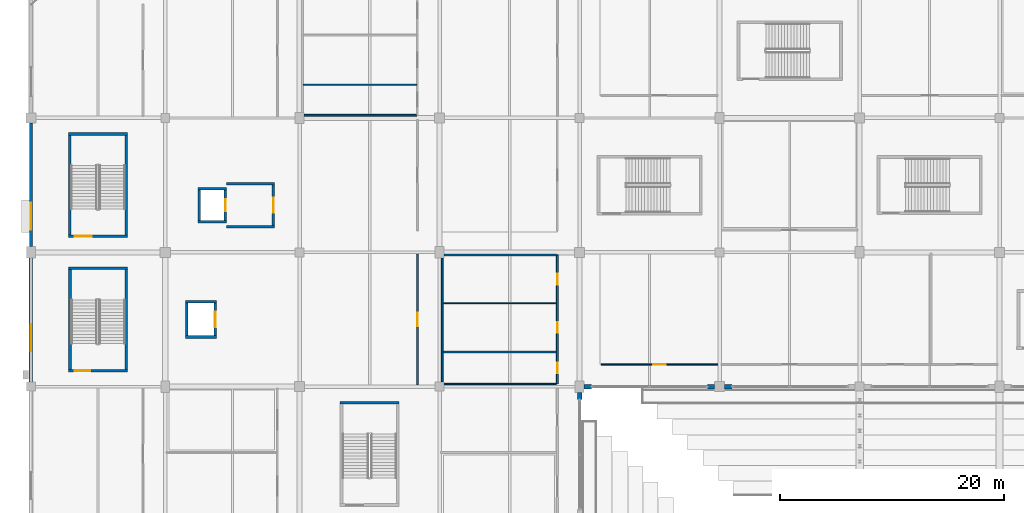
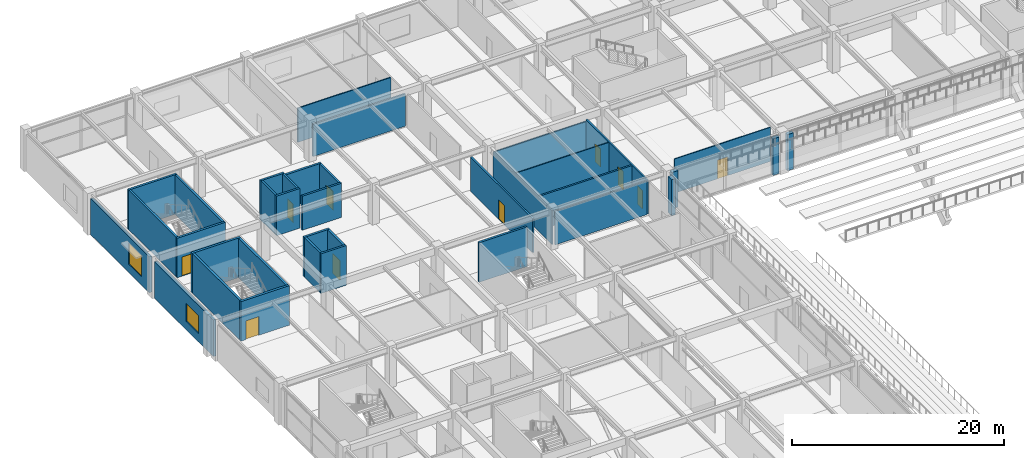
# One storey, part 87 of 134: 36 walls, 10 doors, 2 windows, 12 openings.
"""IFC4 building model written with IfcOpenShell, lengths in metres."""

from ifc_helpers import new_model, si_unit, direction, frame, frame_2d, origin, place, context, subcontext, project, spatial, rectangle, extrude, material, layer, layer_set, type_object, element, fill, save


model = new_model("IFC4")

# Units and contexts
model_context = context("Model", 3, precision=1e-05, world=origin(), true_north=direction((0.0, 1.0)))
body_context = subcontext(model_context, "Body", "Model", "MODEL_VIEW")
ifc_project = project(units=[si_unit("LENGTHUNIT", "METRE"), si_unit("AREAUNIT", "SQUARE_METRE"), si_unit("VOLUMEUNIT", "CUBIC_METRE"), si_unit("PLANEANGLEUNIT", "RADIAN"), si_unit("MASSUNIT", "GRAM", prefix="KILO")], contexts=[model_context])

# Site, building, storey
site_placement = place(None, origin())
site = spatial("IfcSite", under=ifc_project, at=site_placement, CompositionType="ELEMENT")
building_placement = place(site_placement, origin())
building = spatial("IfcBuilding", under=site, at=building_placement, Name="Kazenohara Klinker Stadium", CompositionType="ELEMENT")
storey_placement = place(building_placement, frame((0.0, 0.0, 5.39990234375)))
storey = spatial("IfcBuildingStorey", under=building, at=storey_placement, Name="L01", CompositionType="ELEMENT", Elevation=5.39990234375)

# Wall, opening, door
ifc_material_1 = material(Name="Concrete C40/50", Category="concrete")
ifc_layer_1 = layer(ifc_material_1, 0.22998046875)
ifc_layer_set_1 = layer_set([ifc_layer_1], Name="Concrete C40/50")
wall_type_1 = type_object("IfcWallType", Name="WAL-CORE-230", PredefinedType="SHEAR", material=ifc_layer_set_1)
wall_1_placement = place(storey_placement, frame((3.3701171875, 145.43505859375, 0.0), z_axis=(0.0, 0.0, 1.0), x_axis=(1.0, 0.0, 0.0)))
wall_1 = element("IfcWall", 1, at=wall_1_placement, inside=storey, type_object=wall_type_1, Name="Stairwell shear wall ST06 L01 South", PredefinedType="SHEAR", context=body_context, shape_type="SweptSolid", body=[
    extrude(rectangle(XDim=5.259765625, YDim=0.22998046875, at=frame_2d((2.6298828125, 0.0))), origin(), (0.0, 0.0, 1.0), 4.550048828125),
])
opening_1_placement = place(wall_1_placement, frame((0.550048828125, 0.0, 0.0)))
opening_1 = element("IfcOpeningElement", 2, at=opening_1_placement, cuts=wall_1, Name="Opening SD02", PredefinedType="OPENING", context=body_context, shape_type="SweptSolid", body=[
    extrude(rectangle(XDim=1.5, YDim=2.199951171875, at=frame_2d((0.75, 1.10009765625))), frame((0.0, 0.125, 0.0), z_axis=(0.0, -1.0, 0.0), x_axis=(1.0, 0.0, 0.0)), (0.0, 0.0, 1.0), 0.25),
])
ifc_material_2 = material(Name="Flush painted steel fire door leaf", Category="steel")
door_type_1 = type_object("IfcDoorType", Name="DR-STR-1500x2200", OperationType="NOTDEFINED", PredefinedType="DOOR", material=ifc_material_2)
door_1_placement = place(opening_1_placement, origin())
door_1 = element("IfcDoor", 3, at=door_1_placement, inside=storey, type_object=door_type_1, Name="Escape stairwell fire door ST06-L01", OperationType="SINGLE_SWING_RIGHT", OverallHeight=2.199951171875, OverallWidth=1.5, PredefinedType="DOOR", context=body_context, shape_type="SweptSolid", body=[
    extrude(rectangle(XDim=1.5, YDim=2.199951171875, at=frame_2d((0.75, 1.10009765625))), frame((0.0, 0.02490234375, 0.0), z_axis=(0.0, -1.0, 0.0), x_axis=(1.0, 0.0, 0.0)), (0.0, 0.0, 1.0), 0.050048828125),
])
fill(opening_1, door_1)

# Walls
wall_2_placement = place(storey_placement, frame((3.3701171875, 154.56494140625, 0.0), z_axis=(0.0, 0.0, 1.0), x_axis=(1.0, 0.0, 0.0)))
element("IfcWall", 4, at=wall_2_placement, inside=storey, type_object=wall_type_1, Name="Stairwell shear wall ST06 L01 North", PredefinedType="SHEAR", context=body_context, shape_type="SweptSolid", body=[
    extrude(rectangle(XDim=5.259765625, YDim=0.22998046875, at=frame_2d((2.6298828125, 0.0))), origin(), (0.0, 0.0, 1.0), 4.550048828125),
])
for number, where, z_axis, x_axis, name in (
    (5, (3.485107421875, 145.550048828125, 0.0), (0.0, 0.0, 1.0), (0.0, 1.0, 0.0), "Stairwell shear wall ST06 L01 West"),
    (6, (8.514892578125, 145.550048828125, 0.0), (0.0, 0.0, 1.0), (0.0, 1.0, 0.0), "Stairwell shear wall ST06 L01 East"),
):
    element("IfcWall", number, at=place(storey_placement, frame(where, z_axis=z_axis, x_axis=x_axis)), inside=storey, type_object=wall_type_1, Name=name, PredefinedType="SHEAR", context=body_context, shape_type="SweptSolid", body=[
        extrude(rectangle(XDim=8.89990234375, YDim=0.22998046875, at=frame_2d((4.449951171875, 0.0))), origin(), (0.0, 0.0, 1.0), 4.550048828125),
    ])
wall_3_placement = place(storey_placement, frame((27.6201171875, 130.56494140625, 0.0), z_axis=(0.0, 0.0, 1.0), x_axis=(1.0, 0.0, 0.0)))
element("IfcWall", 7, at=wall_3_placement, inside=storey, type_object=wall_type_1, Name="Stairwell shear wall ST18 L01 North", PredefinedType="SHEAR", context=body_context, shape_type="SweptSolid", body=[
    extrude(rectangle(XDim=5.259765625, YDim=0.22998046875, at=frame_2d((2.6298828125, 0.0))), origin(), (0.0, 0.0, 1.0), 4.550048828125),
])
for number, where, z_axis, x_axis, name in (
    (8, (14.919921875, 146.735107421875, 0.0), (0.0, 0.0, 1.0), (1.0, 0.0, 0.0), "Elevator shaft wall LF03 L01 South"),
    (9, (14.919921875, 149.6650390625, 0.0), (0.0, 0.0, 1.0), (1.0, 0.0, 0.0), "Elevator shaft wall LF03 L01 North"),
):
    element("IfcWall", number, at=place(storey_placement, frame(where, z_axis=z_axis, x_axis=x_axis)), inside=storey, type_object=wall_type_1, Name=name, PredefinedType="SHEAR", context=body_context, shape_type="SweptSolid", body=[
        extrude(rectangle(XDim=2.56005859375, YDim=0.22998046875, at=frame_2d((1.280029296875, 0.0))), origin(), (0.0, 0.0, 1.0), 4.550048828125),
    ])
wall_4_placement = place(storey_placement, frame((15.034912109375, 146.85009765625, 0.0), z_axis=(0.0, 0.0, 1.0), x_axis=(0.0, 1.0, 0.0)))
element("IfcWall", 10, at=wall_4_placement, inside=storey, type_object=wall_type_1, Name="Elevator shaft wall LF03 L01 West", PredefinedType="SHEAR", context=body_context, shape_type="SweptSolid", body=[
    extrude(rectangle(XDim=2.699951171875, YDim=0.22998046875, at=frame_2d((1.35009765625, 0.0))), origin(), (0.0, 0.0, 1.0), 4.550048828125),
])

# Wall, opening, door
wall_5_placement = place(storey_placement, frame((17.364990234375, 146.85009765625, 0.0), z_axis=(0.0, 0.0, 1.0), x_axis=(0.0, 1.0, 0.0)))
wall_5 = element("IfcWall", 11, at=wall_5_placement, inside=storey, type_object=wall_type_1, Name="Elevator shaft wall LF03 L01 East", PredefinedType="SHEAR", context=body_context, shape_type="SweptSolid", body=[
    extrude(rectangle(XDim=2.699951171875, YDim=0.22998046875, at=frame_2d((1.35009765625, 0.0))), origin(), (0.0, 0.0, 1.0), 4.550048828125),
])
opening_2_placement = place(wall_5_placement, frame((0.800048828125, 0.0, 0.0)))
opening_2 = element("IfcOpeningElement", 12, at=opening_2_placement, cuts=wall_5, Name="Opening LD01", PredefinedType="OPENING", context=body_context, shape_type="SweptSolid", body=[
    extrude(rectangle(XDim=1.10009765625, YDim=2.14990234375, at=frame_2d((0.550048828125, 1.074951171875))), frame((0.0, 0.125, 0.0), z_axis=(0.0, -1.0, 0.0), x_axis=(1.0, 0.0, 0.0)), (0.0, 0.0, 1.0), 0.25),
])
ifc_material_3 = material(Name="Stainless steel fire-rated sliding landing door", Category="steel")
door_type_2 = type_object("IfcDoorType", Name="DR-LD01-1100x2150", OperationType="NOTDEFINED", PredefinedType="DOOR", material=ifc_material_3)
door_2_placement = place(opening_2_placement, origin())
door_2 = element("IfcDoor", 13, at=door_2_placement, inside=storey, type_object=door_type_2, Name="Elevator sliding landing door LF03-L01", OperationType="DOUBLE_DOOR_SLIDING", OverallHeight=2.14990234375, OverallWidth=1.10009765625, PredefinedType="DOOR", context=body_context, shape_type="SweptSolid", body=[
    extrude(rectangle(XDim=1.10009765625, YDim=2.14990234375, at=frame_2d((0.550048828125, 1.074951171875))), frame((0.0, 0.02490234375, 0.0), z_axis=(0.0, -1.0, 0.0), x_axis=(1.0, 0.0, 0.0)), (0.0, 0.0, 1.0), 0.050048828125),
])
fill(opening_2, door_2)

# Walls
for number, where, z_axis, x_axis, name in (
    (14, (13.820068359375, 136.43505859375, 0.0), (0.0, 0.0, 1.0), (1.0, 0.0, 0.0), "Elevator shaft wall LG01 L01 South"),
    (15, (13.820068359375, 139.56494140625, 0.0), (0.0, 0.0, 1.0), (1.0, 0.0, 0.0), "Elevator shaft wall LG01 L01 North"),
):
    element("IfcWall", number, at=place(storey_placement, frame(where, z_axis=z_axis, x_axis=x_axis)), inside=storey, type_object=wall_type_1, Name=name, PredefinedType="SHEAR", context=body_context, shape_type="SweptSolid", body=[
        extrude(rectangle(XDim=2.760009765625, YDim=0.22998046875, at=frame_2d((1.3798828125, 0.0))), origin(), (0.0, 0.0, 1.0), 4.550048828125),
    ])
wall_6_placement = place(storey_placement, frame((13.93505859375, 136.550048828125, 0.0), z_axis=(0.0, 0.0, 1.0), x_axis=(0.0, 1.0, 0.0)))
element("IfcWall", 16, at=wall_6_placement, inside=storey, type_object=wall_type_1, Name="Elevator shaft wall LG01 L01 West", PredefinedType="SHEAR", context=body_context, shape_type="SweptSolid", body=[
    extrude(rectangle(XDim=2.89990234375, YDim=0.22998046875, at=frame_2d((1.449951171875, 0.0))), origin(), (0.0, 0.0, 1.0), 4.550048828125),
])

# Wall, opening, door
wall_7_placement = place(storey_placement, frame((16.465087890625, 136.550048828125, 0.0), z_axis=(0.0, 0.0, 1.0), x_axis=(0.0, 1.0, 0.0)))
wall_7 = element("IfcWall", 17, at=wall_7_placement, inside=storey, type_object=wall_type_1, Name="Elevator shaft wall LG01 L01 East", PredefinedType="SHEAR", context=body_context, shape_type="SweptSolid", body=[
    extrude(rectangle(XDim=2.89990234375, YDim=0.22998046875, at=frame_2d((1.449951171875, 0.0))), origin(), (0.0, 0.0, 1.0), 4.550048828125),
])
opening_3_placement = place(wall_7_placement, frame((0.75, 0.0, 0.0)))
opening_3 = element("IfcOpeningElement", 18, at=opening_3_placement, cuts=wall_7, Name="Opening LD03", PredefinedType="OPENING", context=body_context, shape_type="SweptSolid", body=[
    extrude(rectangle(XDim=1.39990234375, YDim=2.25, at=frame_2d((0.699951171875, 1.125))), frame((0.0, 0.125, 0.0), z_axis=(0.0, -1.0, 0.0), x_axis=(1.0, 0.0, 0.0)), (0.0, 0.0, 1.0), 0.25),
])
ifc_material_4 = material(Name="Heavy-duty stainless steel sliding goods landing door", Category="steel")
door_type_3 = type_object("IfcDoorType", Name="DR-LD03-1400x2250", OperationType="NOTDEFINED", PredefinedType="DOOR", material=ifc_material_4)
door_3_placement = place(opening_3_placement, origin())
door_3 = element("IfcDoor", 19, at=door_3_placement, inside=storey, type_object=door_type_3, Name="Elevator sliding landing door LG01-L01", OperationType="DOUBLE_DOOR_SLIDING", OverallHeight=2.25, OverallWidth=1.39990234375, PredefinedType="DOOR", context=body_context, shape_type="SweptSolid", body=[
    extrude(rectangle(XDim=1.39990234375, YDim=2.25, at=frame_2d((0.699951171875, 1.125))), frame((0.0, 0.02490234375, 0.0), z_axis=(0.0, -1.0, 0.0), x_axis=(1.0, 0.0, 0.0)), (0.0, 0.0, 1.0), 0.050048828125),
])
fill(opening_3, door_3)

ifc_layer_2 = layer(ifc_material_1, 0.25)
ifc_layer_set_2 = layer_set([ifc_layer_2], Name="Concrete C40/50")
wall_type_2 = type_object("IfcWallType", Name="WAL-CORE-250", PredefinedType="SHEAR", material=ifc_layer_set_2)
wall_8_placement = place(storey_placement, frame((3.360107421875, 133.425048828125, 0.0), z_axis=(0.0, 0.0, 1.0), x_axis=(1.0, 0.0, 0.0)))
wall_8 = element("IfcWall", 20, at=wall_8_placement, inside=storey, type_object=wall_type_2, Name="Stairwell shear wall ST05 L01 South", PredefinedType="SHEAR", context=body_context, shape_type="SweptSolid", body=[
    extrude(rectangle(XDim=5.27978515625, YDim=0.25, at=frame_2d((2.639892578125, 0.0))), origin(), (0.0, 0.0, 1.0), 4.550048828125),
])
opening_4_placement = place(wall_8_placement, frame((0.550048828125, 0.0, 0.0)))
opening_4 = element("IfcOpeningElement", 21, at=opening_4_placement, cuts=wall_8, Name="Opening SD01", PredefinedType="OPENING", context=body_context, shape_type="SweptSolid", body=[
    extrude(rectangle(XDim=1.39990234375, YDim=2.14990234375, at=frame_2d((0.699951171875, 1.074951171875))), frame((0.0, 0.135009765625, 0.0), z_axis=(0.0, -1.0, 0.0), x_axis=(1.0, 0.0, 0.0)), (0.0, 0.0, 1.0), 0.27001953125),
])
door_type_4 = type_object("IfcDoorType", Name="DR-STR-1400x2150", OperationType="NOTDEFINED", PredefinedType="DOOR", material=ifc_material_2)
door_4_placement = place(opening_4_placement, origin())
door_4 = element("IfcDoor", 22, at=door_4_placement, inside=storey, type_object=door_type_4, Name="Escape stairwell fire door ST05-L01", OperationType="SINGLE_SWING_LEFT", OverallHeight=2.14990234375, OverallWidth=1.39990234375, PredefinedType="DOOR", context=body_context, shape_type="SweptSolid", body=[
    extrude(rectangle(XDim=1.39990234375, YDim=2.14990234375, at=frame_2d((0.699951171875, 1.074951171875))), frame((0.0, 0.02490234375, 0.0), z_axis=(0.0, -1.0, 0.0), x_axis=(1.0, 0.0, 0.0)), (0.0, 0.0, 1.0), 0.050048828125),
])
fill(opening_4, door_4)

# Walls
wall_9_placement = place(storey_placement, frame((3.360107421875, 142.574951171875, 0.0), z_axis=(0.0, 0.0, 1.0), x_axis=(1.0, 0.0, 0.0)))
element("IfcWall", 23, at=wall_9_placement, inside=storey, type_object=wall_type_2, Name="Stairwell shear wall ST05 L01 North", PredefinedType="SHEAR", context=body_context, shape_type="SweptSolid", body=[
    extrude(rectangle(XDim=5.27978515625, YDim=0.25, at=frame_2d((2.639892578125, 0.0))), origin(), (0.0, 0.0, 1.0), 4.550048828125),
])
for number, where, z_axis, x_axis, name in (
    (24, (3.485107421875, 133.550048828125, 0.0), (0.0, 0.0, 1.0), (0.0, 1.0, 0.0), "Stairwell shear wall ST05 L01 West"),
    (25, (8.514892578125, 133.550048828125, 0.0), (0.0, 0.0, 1.0), (0.0, 1.0, 0.0), "Stairwell shear wall ST05 L01 East"),
):
    element("IfcWall", number, at=place(storey_placement, frame(where, z_axis=z_axis, x_axis=x_axis)), inside=storey, type_object=wall_type_2, Name=name, PredefinedType="SHEAR", context=body_context, shape_type="SweptSolid", body=[
        extrude(rectangle(XDim=8.89990234375, YDim=0.25, at=frame_2d((4.449951171875, 0.0))), origin(), (0.0, 0.0, 1.0), 4.550048828125),
    ])

# Wall, opening, window
ifc_material_5 = material(Name="Clinker brick masonry", Category="masonry")
ifc_layer_3 = layer(ifc_material_5, 0.280029296875)
ifc_layer_set_3 = layer_set([ifc_layer_3], Name="Clinker brick masonry")
wall_type_3 = type_object("IfcWallType", Name="WAL-EXT-CB280", PredefinedType="SOLIDWALL", material=ifc_layer_set_3)
wall_10_placement = place(storey_placement, frame((0.0, 144.50390625, 0.0), z_axis=(0.0, 0.0, 1.0), x_axis=(0.0, 1.0, 0.0)))
wall_10 = element("IfcWall", 26, at=wall_10_placement, inside=storey, type_object=wall_type_3, Name="Clinker brick cavity wall EW06 L01 Y0-12", PredefinedType="SOLIDWALL", context=body_context, shape_type="SweptSolid", body=[
    extrude(rectangle(XDim=11.0419921875, YDim=0.280029296875, at=frame_2d((5.52099609375, 0.0))), origin(), (0.0, 0.0, 1.0), 4.150146484375),
])
opening_5_placement = place(wall_10_placement, frame((1.5, 0.0, 0.949951171875)))
opening_5 = element("IfcOpeningElement", 27, at=opening_5_placement, cuts=wall_10, Name="Opening W25", PredefinedType="OPENING", context=body_context, shape_type="SweptSolid", body=[
    extrude(rectangle(XDim=2.39990234375, YDim=2.449951171875, at=frame_2d((1.199951171875, 1.22509765625))), frame((0.0, 0.14990234375, 0.0), z_axis=(0.0, -1.0, 0.0), x_axis=(1.0, 0.0, 0.0)), (0.0, 0.0, 1.0), 0.300048828125),
])
ifc_material_6 = material(Name="Dark bronze aluminium frame and triple glazing", Category="aluminium")
window_type_1 = type_object("IfcWindowType", Name="WIN-AS-25", PartitioningType="SINGLE_PANEL", PredefinedType="WINDOW", material=ifc_material_6)
window_1_placement = place(opening_5_placement, origin())
window_1 = element("IfcWindow", 28, at=window_1_placement, inside=storey, type_object=window_type_1, Name="Horizontal-mullion ladder window W25 L01 Y0-12", OverallHeight=2.449951171875, OverallWidth=2.39990234375, PartitioningType="SINGLE_PANEL", PredefinedType="WINDOW", context=body_context, shape_type="SweptSolid", body=[
    extrude(rectangle(XDim=2.39990234375, YDim=2.449951171875, at=frame_2d((1.199951171875, 1.22509765625))), frame((0.0, 0.030029296875, 0.0), z_axis=(0.0, -1.0, 0.0), x_axis=(1.0, 0.0, 0.0)), (0.0, 0.0, 1.0), 0.06005859375),
])
fill(opening_5, window_1)

ifc_layer_4 = layer(ifc_material_5, 0.31005859375)
ifc_layer_set_4 = layer_set([ifc_layer_4], Name="Clinker brick masonry")
wall_type_4 = type_object("IfcWallType", Name="WAL-EXT-CB310", PredefinedType="SOLIDWALL", material=ifc_layer_set_4)
wall_11_placement = place(storey_placement, frame((0.0, 132.404052734375, 0.0), z_axis=(0.0, 0.0, 1.0), x_axis=(0.0, 1.0, 0.0)))
wall_11 = element("IfcWall", 29, at=wall_11_placement, inside=storey, type_object=wall_type_4, Name="Clinker brick cavity wall EW05 L01 Y0-11", PredefinedType="SOLIDWALL", context=body_context, shape_type="SweptSolid", body=[
    extrude(rectangle(XDim=11.092041015625, YDim=0.31005859375, at=frame_2d((5.5458984375, 0.0))), origin(), (0.0, 0.0, 1.0), 4.2001953125),
])
opening_6_placement = place(wall_11_placement, frame((2.75, 0.0, 0.949951171875)))
opening_6 = element("IfcOpeningElement", 30, at=opening_6_placement, cuts=wall_11, Name="Opening W24", PredefinedType="OPENING", context=body_context, shape_type="SweptSolid", body=[
    extrude(rectangle(XDim=2.39990234375, YDim=2.050048828125, at=frame_2d((1.199951171875, 1.02490234375))), frame((0.0, 0.1650390625, 0.0), z_axis=(0.0, -1.0, 0.0), x_axis=(1.0, 0.0, 0.0)), (0.0, 0.0, 1.0), 0.330078125),
])
window_type_2 = type_object("IfcWindowType", Name="WIN-AS-24", PartitioningType="SINGLE_PANEL", PredefinedType="WINDOW", material=ifc_material_6)
window_2_placement = place(opening_6_placement, origin())
window_2 = element("IfcWindow", 31, at=window_2_placement, inside=storey, type_object=window_type_2, Name="Horizontal-mullion ladder window W24 L01 Y0-11", OverallHeight=2.050048828125, OverallWidth=2.39990234375, PartitioningType="SINGLE_PANEL", PredefinedType="WINDOW", context=body_context, shape_type="SweptSolid", body=[
    extrude(rectangle(XDim=2.39990234375, YDim=2.050048828125, at=frame_2d((1.199951171875, 1.02490234375))), frame((0.0, 0.030029296875, 0.0), z_axis=(0.0, -1.0, 0.0), x_axis=(1.0, 0.0, 0.0)), (0.0, 0.0, 1.0), 0.06005859375),
])
fill(opening_6, window_2)

# Walls
ifc_layer_5 = layer(ifc_material_5, 0.409912109375)
ifc_layer_set_5 = layer_set([ifc_layer_5], Name="Clinker brick masonry")
wall_type_5 = type_object("IfcWallType", Name="WAL-EXT-CB410", PredefinedType="SOLIDWALL", material=ifc_layer_set_5)
wall_12_placement = place(storey_placement, frame((49.0, 130.845947265625, 0.0), z_axis=(0.0, 0.0, 1.0), x_axis=(0.0, 1.0, 0.0)))
element("IfcWall", 32, at=wall_12_placement, inside=storey, type_object=wall_type_5, Name="Clinker brick curtain-wall jamb pier L01 Y4-10 B", PredefinedType="SOLIDWALL", context=body_context, shape_type="SweptSolid", body=[
    extrude(rectangle(XDim=0.650146484375, YDim=0.409912109375, at=frame_2d((0.3251953125, 0.0))), origin(), (0.0, 0.0, 1.0), 4.150146484375),
])
for number, where, z_axis, x_axis, name in (
    (33, (49.404052734375, 132.0, 0.0), (0.0, 0.0, 1.0), (1.0, 0.0, 0.0), "Clinker brick curtain-wall jamb pier L01 X4-11 A"),
    (34, (60.39599609375, 132.0, 0.0), (0.0, 0.0, 1.0), (1.0, 0.0, 0.0), "Clinker brick curtain-wall jamb pier L01 X4-11 B"),
):
    element("IfcWall", number, at=place(storey_placement, frame(where, z_axis=z_axis, x_axis=x_axis)), inside=storey, type_object=wall_type_5, Name=name, PredefinedType="SOLIDWALL", context=body_context, shape_type="SweptSolid", body=[
        extrude(rectangle(XDim=0.64990234375, YDim=0.409912109375, at=frame_2d((0.324951171875, 0.0))), origin(), (0.0, 0.0, 1.0), 4.2001953125),
    ])
wall_13_placement = place(storey_placement, frame((61.9541015625, 132.0, 0.0), z_axis=(0.0, 0.0, 1.0), x_axis=(1.0, 0.0, 0.0)))
element("IfcWall", 35, at=wall_13_placement, inside=storey, type_object=wall_type_5, Name="Clinker brick curtain-wall jamb pier L01 X5-11 A", PredefinedType="SOLIDWALL", context=body_context, shape_type="SweptSolid", body=[
    extrude(rectangle(XDim=0.64990234375, YDim=0.409912109375, at=frame_2d((0.324951171875, 0.0))), origin(), (0.0, 0.0, 1.0), 4.150146484375),
])
ifc_layer_6 = layer(ifc_material_1, 0.219970703125)
ifc_layer_set_6 = layer_set([ifc_layer_6], Name="Concrete C40/50")
wall_type_6 = type_object("IfcWallType", Name="WAL-INT-FF220", PredefinedType="SOLIDWALL", material=ifc_layer_set_6)
for number, where, z_axis, x_axis, name in (
    (36, (17.47998046875, 146.2900390625, 0.0), (0.0, 0.0, 1.0), (1.0, 0.0, 0.0), "Firefighting lobby wall LF03 L01 South"),
    (37, (17.47998046875, 150.110107421875, 0.0), (0.0, 0.0, 1.0), (1.0, 0.0, 0.0), "Firefighting lobby wall LF03 L01 North"),
):
    element("IfcWall", number, at=place(storey_placement, frame(where, z_axis=z_axis, x_axis=x_axis)), inside=storey, type_object=wall_type_6, Name=name, PredefinedType="SOLIDWALL", context=body_context, shape_type="SweptSolid", body=[
        extrude(rectangle(XDim=4.2900390625, YDim=0.219970703125, at=frame_2d((2.14501953125, 0.0))), origin(), (0.0, 0.0, 1.0), 3.920166015625),
    ])

# Wall, opening, door
wall_14_placement = place(storey_placement, frame((21.659912109375, 146.39990234375, 0.0), z_axis=(0.0, 0.0, 1.0), x_axis=(0.0, 1.0, 0.0)))
wall_14 = element("IfcWall", 38, at=wall_14_placement, inside=storey, type_object=wall_type_6, Name="Firefighting lobby front wall LF03 L01", PredefinedType="SOLIDWALL", context=body_context, shape_type="SweptSolid", body=[
    extrude(rectangle(XDim=3.60009765625, YDim=0.219970703125, at=frame_2d((1.800048828125, 0.0))), origin(), (0.0, 0.0, 1.0), 3.920166015625),
])
opening_7_placement = place(wall_14_placement, frame((1.14990234375, 0.0, 0.0)))
opening_7 = element("IfcOpeningElement", 39, at=opening_7_placement, cuts=wall_14, Name="Opening FD01", PredefinedType="OPENING", context=body_context, shape_type="SweptSolid", body=[
    extrude(rectangle(XDim=1.300048828125, YDim=2.14990234375, at=frame_2d((0.64990234375, 1.074951171875))), frame((0.0, 0.1201171875, 0.0), z_axis=(0.0, -1.0, 0.0), x_axis=(1.0, 0.0, 0.0)), (0.0, 0.0, 1.0), 0.239990234375),
])
ifc_material_7 = material(Name="Smoke-sealed steel fire lobby door", Category="steel")
door_type_5 = type_object("IfcDoorType", Name="DR-FFL-1300x2150", OperationType="NOTDEFINED", PredefinedType="DOOR", material=ifc_material_7)
door_5_placement = place(opening_7_placement, origin())
door_5 = element("IfcDoor", 40, at=door_5_placement, inside=storey, type_object=door_type_5, Name="Firefighting lobby smoke-sealed door LF03-L01", OperationType="SINGLE_SWING_LEFT", OverallHeight=2.14990234375, OverallWidth=1.300048828125, PredefinedType="DOOR", context=body_context, shape_type="SweptSolid", body=[
    extrude(rectangle(XDim=1.300048828125, YDim=2.14990234375, at=frame_2d((0.64990234375, 1.074951171875))), frame((0.0, 0.02490234375, 0.0), z_axis=(0.0, -1.0, 0.0), x_axis=(1.0, 0.0, 0.0)), (0.0, 0.0, 1.0), 0.050048828125),
])
fill(opening_7, door_5)

# Wall
ifc_material_8 = material(Name="Fire-rated gypsum board on acoustic studs", Category="gypsum")
ifc_layer_7 = layer(ifc_material_8, 0.110107421875)
ifc_layer_set_7 = layer_set([ifc_layer_7], Name="Fire-rated gypsum board on acoustic studs")
wall_type_7 = type_object("IfcWallType", Name="WAL-INT-P110", PredefinedType="PARTITIONING", material=ifc_layer_set_7)
wall_15_placement = place(storey_placement, frame((36.820068359375, 139.461181640625, 0.0), z_axis=(0.0, 0.0, 1.0), x_axis=(1.0, 0.0, 0.0)))
element("IfcWall", 41, at=wall_15_placement, inside=storey, type_object=wall_type_7, Name="Interior partition wall PT01 SPC-L01-03-11-1-6", PredefinedType="PARTITIONING", context=body_context, shape_type="SweptSolid", body=[
    extrude(rectangle(XDim=10.099853515625, YDim=0.110107421875, at=frame_2d((5.0498046875, 0.0))), origin(), (0.0, 0.0, 1.0), 3.920166015625),
])

# Wall, opening, door
wall_16_placement = place(storey_placement, frame((50.919921875, 133.989990234375, 0.0), z_axis=(0.0, 0.0, 1.0), x_axis=(1.0, 0.0, 0.0)))
wall_16 = element("IfcWall", 42, at=wall_16_placement, inside=storey, type_object=wall_type_7, Name="Interior partition wall PT01 SPC-L01-04-11-1-1", PredefinedType="PARTITIONING", context=body_context, shape_type="SweptSolid", body=[
    extrude(rectangle(XDim=10.420166015625, YDim=0.110107421875, at=frame_2d((5.2099609375, 0.0))), origin(), (0.0, 0.0, 1.0), 3.920166015625),
])
opening_8_placement = place(wall_16_placement, frame((4.635009765625, 0.0, 0.0)))
opening_8 = element("IfcOpeningElement", 43, at=opening_8_placement, cuts=wall_16, Name="Opening ID10", PredefinedType="OPENING", context=body_context, shape_type="SweptSolid", body=[
    extrude(rectangle(XDim=1.14990234375, YDim=2.14990234375, at=frame_2d((0.574951171875, 1.074951171875))), frame((0.0, 0.06494140625, 0.0), z_axis=(0.0, -1.0, 0.0), x_axis=(1.0, 0.0, 0.0)), (0.0, 0.0, 1.0), 0.130126953125),
])
ifc_material_9 = material(Name="Solid-core Hokkaido oak fire door", Category="wood")
door_type_6 = type_object("IfcDoorType", Name="DR-INT-10", OperationType="NOTDEFINED", PredefinedType="DOOR", material=ifc_material_9)
door_6_placement = place(opening_8_placement, origin())
door_6 = element("IfcDoor", 44, at=door_6_placement, inside=storey, type_object=door_type_6, Name="Interior door ID10 Community Martial Arts Fitness Studio L01-0411A", OperationType="SINGLE_SWING_LEFT", OverallHeight=2.14990234375, OverallWidth=1.14990234375, PredefinedType="DOOR", context=body_context, shape_type="SweptSolid", body=[
    extrude(rectangle(XDim=1.14990234375, YDim=2.14990234375, at=frame_2d((0.574951171875, 1.074951171875))), frame((0.0, 0.02490234375, 0.0), z_axis=(0.0, -1.0, 0.0), x_axis=(1.0, 0.0, 0.0)), (0.0, 0.0, 1.0), 0.050048828125),
])
fill(opening_8, door_6)

# Walls
ifc_layer_8 = layer(ifc_material_8, 0.1201171875)
ifc_layer_set_8 = layer_set([ifc_layer_8], Name="Fire-rated gypsum board on acoustic studs")
wall_type_8 = type_object("IfcWallType", Name="WAL-INT-P120", PredefinedType="PARTITIONING", material=ifc_layer_set_8)
wall_17_placement = place(storey_placement, frame((24.340087890625, 158.96630859375, 0.0), z_axis=(0.0, 0.0, 1.0), x_axis=(1.0, 0.0, 0.0)))
element("IfcWall", 45, at=wall_17_placement, inside=storey, type_object=wall_type_8, Name="Interior partition wall PT02 SPC-L01-02-13-1-4", PredefinedType="PARTITIONING", context=body_context, shape_type="SweptSolid", body=[
    extrude(rectangle(XDim=10.10986328125, YDim=0.1201171875, at=frame_2d((5.054931640625, 0.0))), origin(), (0.0, 0.0, 1.0), 3.920166015625),
])
wall_18_placement = place(storey_placement, frame((36.904052734375, 132.239990234375, 0.0), z_axis=(0.0, 0.0, 1.0), x_axis=(1.0, 0.0, 0.0)))
element("IfcWall", 46, at=wall_18_placement, inside=storey, type_object=wall_type_8, Name="Interior partition wall PT02 SPC-L01-03-11-1-1", PredefinedType="PARTITIONING", context=body_context, shape_type="SweptSolid", body=[
    extrude(rectangle(XDim=10.015869140625, YDim=0.1201171875, at=frame_2d((5.0078125, 0.0))), origin(), (0.0, 0.0, 1.0), 3.920166015625),
])
ifc_layer_9 = layer(ifc_material_8, 0.139892578125)
ifc_layer_set_9 = layer_set([ifc_layer_9], Name="Fire-rated gypsum board on acoustic studs")
wall_type_9 = type_object("IfcWallType", Name="WAL-INT-P140", PredefinedType="PARTITIONING", material=ifc_layer_set_9)
wall_19_placement = place(storey_placement, frame((36.904052734375, 143.760009765625, 0.0), z_axis=(0.0, 0.0, 1.0), x_axis=(1.0, 0.0, 0.0)))
element("IfcWall", 47, at=wall_19_placement, inside=storey, type_object=wall_type_9, Name="Interior partition wall PT03 SPC-L01-03-11-1-2", PredefinedType="PARTITIONING", context=body_context, shape_type="SweptSolid", body=[
    extrude(rectangle(XDim=10.015869140625, YDim=0.139892578125, at=frame_2d((5.0078125, 0.0))), origin(), (0.0, 0.0, 1.0), 3.710205078125),
])
ifc_layer_10 = layer(ifc_material_8, 0.14990234375)
ifc_layer_set_10 = layer_set([ifc_layer_10], Name="Fire-rated gypsum board on acoustic studs")
wall_type_10 = type_object("IfcWallType", Name="WAL-INT-P150", PredefinedType="PARTITIONING", material=ifc_layer_set_10)
wall_20_placement = place(storey_placement, frame((36.739990234375, 132.404052734375, 0.0), z_axis=(0.0, 0.0, 1.0), x_axis=(0.0, 1.0, 0.0)))
element("IfcWall", 48, at=wall_20_placement, inside=storey, type_object=wall_type_10, Name="Interior partition wall PT04 SPC-L01-03-11-1-3", PredefinedType="PARTITIONING", context=body_context, shape_type="SweptSolid", body=[
    extrude(rectangle(XDim=11.092041015625, YDim=0.14990234375, at=frame_2d((5.5458984375, 0.0))), origin(), (0.0, 0.0, 1.0), 3.920166015625),
])
ifc_layer_11 = layer(ifc_material_8, 0.169921875)
ifc_layer_set_11 = layer_set([ifc_layer_11], Name="Fire-rated gypsum board on acoustic studs")
wall_type_11 = type_object("IfcWallType", Name="WAL-INT-P170", PredefinedType="PARTITIONING", material=ifc_layer_set_11)
wall_21_placement = place(storey_placement, frame((24.404052734375, 156.239990234375, 0.0), z_axis=(0.0, 0.0, 1.0), x_axis=(1.0, 0.0, 0.0)))
element("IfcWall", 49, at=wall_21_placement, inside=storey, type_object=wall_type_11, Name="Interior partition wall PT05 SPC-L01-02-13-1-1", PredefinedType="PARTITIONING", context=body_context, shape_type="SweptSolid", body=[
    extrude(rectangle(XDim=10.0458984375, YDim=0.169921875, at=frame_2d((5.02294921875, 0.0))), origin(), (0.0, 0.0, 1.0), 3.710205078125),
])

# Wall, openings, doors
wall_22_placement = place(storey_placement, frame((47.010009765625, 132.239990234375, 0.0), z_axis=(0.0, 0.0, 1.0), x_axis=(0.0, 1.0, 0.0)))
wall_22 = element("IfcWall", 50, at=wall_22_placement, inside=storey, type_object=wall_type_11, Name="Interior partition wall PT05 SPC-L01-03-11-1-4", PredefinedType="PARTITIONING", context=body_context, shape_type="SweptSolid", body=[
    extrude(rectangle(XDim=11.52001953125, YDim=0.169921875, at=frame_2d((5.760009765625, 0.0))), origin(), (0.0, 0.0, 1.0), 3.920166015625),
])
opening_9_placement = place(wall_22_placement, frame((0.98095703125, 0.0, 0.0)))
opening_9 = element("IfcOpeningElement", 51, at=opening_9_placement, cuts=wall_22, Name="Opening ID02", PredefinedType="OPENING", context=body_context, shape_type="SweptSolid", body=[
    extrude(rectangle(XDim=0.919921875, YDim=2.10009765625, at=frame_2d((0.4599609375, 1.050048828125))), frame((0.0, 0.094970703125, 0.0), z_axis=(0.0, -1.0, 0.0), x_axis=(1.0, 0.0, 0.0)), (0.0, 0.0, 1.0), 0.18994140625),
])
opening_10_placement = place(wall_22_placement, frame((4.566650390625, 0.0, 0.0)))
opening_10 = element("IfcOpeningElement", 52, at=opening_10_placement, cuts=wall_22, Name="Opening ID03", PredefinedType="OPENING", context=body_context, shape_type="SweptSolid", body=[
    extrude(rectangle(XDim=0.949951171875, YDim=2.1201171875, at=frame_2d((0.47509765625, 1.06005859375))), frame((0.0, 0.094970703125, 0.0), z_axis=(0.0, -1.0, 0.0), x_axis=(1.0, 0.0, 0.0)), (0.0, 0.0, 1.0), 0.18994140625),
])
opening_11_placement = place(wall_22_placement, frame((8.87060546875, 0.0, 0.0)))
opening_11 = element("IfcOpeningElement", 53, at=opening_11_placement, cuts=wall_22, Name="Opening ID04", PredefinedType="OPENING", context=body_context, shape_type="SweptSolid", body=[
    extrude(rectangle(XDim=0.97998046875, YDim=2.10009765625, at=frame_2d((0.489990234375, 1.050048828125))), frame((0.0, 0.094970703125, 0.0), z_axis=(0.0, -1.0, 0.0), x_axis=(1.0, 0.0, 0.0)), (0.0, 0.0, 1.0), 0.18994140625),
])
door_type_7 = type_object("IfcDoorType", Name="DR-INT-02", OperationType="NOTDEFINED", PredefinedType="DOOR", material=ifc_material_9)
door_7_placement = place(opening_9_placement, origin())
door_7 = element("IfcDoor", 54, at=door_7_placement, inside=storey, type_object=door_type_7, Name="Interior door ID02 Accessible Water Closet Restroom L01-0311A", OperationType="SINGLE_SWING_LEFT", OverallHeight=2.10009765625, OverallWidth=0.919921875, PredefinedType="DOOR", context=body_context, shape_type="SweptSolid", body=[
    extrude(rectangle(XDim=0.919921875, YDim=2.10009765625, at=frame_2d((0.4599609375, 1.050048828125))), frame((0.0, 0.02490234375, 0.0), z_axis=(0.0, -1.0, 0.0), x_axis=(1.0, 0.0, 0.0)), (0.0, 0.0, 1.0), 0.050048828125),
])
fill(opening_9, door_7)
door_type_8 = type_object("IfcDoorType", Name="DR-INT-03", OperationType="NOTDEFINED", PredefinedType="DOOR", material=ifc_material_9)
door_8_placement = place(opening_10_placement, origin())
door_8 = element("IfcDoor", 55, at=door_8_placement, inside=storey, type_object=door_type_8, Name="Interior door ID03 Water Closet Restroom Male L01-0311B", OperationType="SINGLE_SWING_RIGHT", OverallHeight=2.1201171875, OverallWidth=0.949951171875, PredefinedType="DOOR", context=body_context, shape_type="SweptSolid", body=[
    extrude(rectangle(XDim=0.949951171875, YDim=2.1201171875, at=frame_2d((0.47509765625, 1.06005859375))), frame((0.0, 0.02490234375, 0.0), z_axis=(0.0, -1.0, 0.0), x_axis=(1.0, 0.0, 0.0)), (0.0, 0.0, 1.0), 0.050048828125),
])
fill(opening_10, door_8)
door_type_9 = type_object("IfcDoorType", Name="DR-INT-04", OperationType="NOTDEFINED", PredefinedType="DOOR", material=ifc_material_9)
door_9_placement = place(opening_11_placement, origin())
door_9 = element("IfcDoor", 56, at=door_9_placement, inside=storey, type_object=door_type_9, Name="Interior door ID04 Water Closet Restroom Female L01-0311C", OperationType="SINGLE_SWING_LEFT", OverallHeight=2.10009765625, OverallWidth=0.97998046875, PredefinedType="DOOR", context=body_context, shape_type="SweptSolid", body=[
    extrude(rectangle(XDim=0.97998046875, YDim=2.10009765625, at=frame_2d((0.489990234375, 1.050048828125))), frame((0.0, 0.02490234375, 0.0), z_axis=(0.0, -1.0, 0.0), x_axis=(1.0, 0.0, 0.0)), (0.0, 0.0, 1.0), 0.050048828125),
])
fill(opening_11, door_9)

# Wall, opening, door
ifc_layer_12 = layer(ifc_material_8, 0.18994140625)
ifc_layer_set_12 = layer_set([ifc_layer_12], Name="Fire-rated gypsum board on acoustic studs")
wall_type_12 = type_object("IfcWallType", Name="WAL-INT-P190", PredefinedType="PARTITIONING", material=ifc_layer_set_12)
wall_23_placement = place(storey_placement, frame((34.510009765625, 132.159912109375, 0.0), z_axis=(0.0, 0.0, 1.0), x_axis=(0.0, 1.0, 0.0)))
wall_23 = element("IfcWall", 57, at=wall_23_placement, inside=storey, type_object=wall_type_12, Name="Interior partition wall PT06 SPC-L01-02-11-1-1", PredefinedType="PARTITIONING", context=body_context, shape_type="SweptSolid", body=[
    extrude(rectangle(XDim=11.68017578125, YDim=0.18994140625, at=frame_2d((5.840087890625, 0.0))), origin(), (0.0, 0.0, 1.0), 3.920166015625),
])
opening_12_placement = place(wall_23_placement, frame((5.25, 0.0, 0.0)))
opening_12 = element("IfcOpeningElement", 58, at=opening_12_placement, cuts=wall_23, Name="Opening ID11", PredefinedType="OPENING", context=body_context, shape_type="SweptSolid", body=[
    extrude(rectangle(XDim=1.179931640625, YDim=2.199951171875, at=frame_2d((0.58984375, 1.10009765625))), frame((0.0, 0.10498046875, 0.0), z_axis=(0.0, -1.0, 0.0), x_axis=(1.0, 0.0, 0.0)), (0.0, 0.0, 1.0), 0.2099609375),
])
door_type_10 = type_object("IfcDoorType", Name="DR-INT-11", OperationType="NOTDEFINED", PredefinedType="DOOR", material=ifc_material_9)
door_10_placement = place(opening_12_placement, origin())
door_10 = element("IfcDoor", 59, at=door_10_placement, inside=storey, type_object=door_type_10, Name="Interior door ID11 Concourse Supporter Beer Dining Hall L01-0211A", OperationType="SINGLE_SWING_RIGHT", OverallHeight=2.199951171875, OverallWidth=1.179931640625, PredefinedType="DOOR", context=body_context, shape_type="SweptSolid", body=[
    extrude(rectangle(XDim=1.179931640625, YDim=2.199951171875, at=frame_2d((0.58984375, 1.10009765625))), frame((0.0, 0.02490234375, 0.0), z_axis=(0.0, -1.0, 0.0), x_axis=(1.0, 0.0, 0.0)), (0.0, 0.0, 1.0), 0.050048828125),
])
fill(opening_12, door_10)

# Wall
wall_24_placement = place(storey_placement, frame((36.820068359375, 135.10205078125, 0.0), z_axis=(0.0, 0.0, 1.0), x_axis=(1.0, 0.0, 0.0)))
element("IfcWall", 60, at=wall_24_placement, inside=storey, type_object=wall_type_12, Name="Interior partition wall PT06 SPC-L01-03-11-1-5", PredefinedType="PARTITIONING", context=body_context, shape_type="SweptSolid", body=[
    extrude(rectangle(XDim=10.099853515625, YDim=0.18994140625, at=frame_2d((5.0498046875, 0.0))), origin(), (0.0, 0.0, 1.0), 3.920166015625),
])

save(model, "model.ifc")
